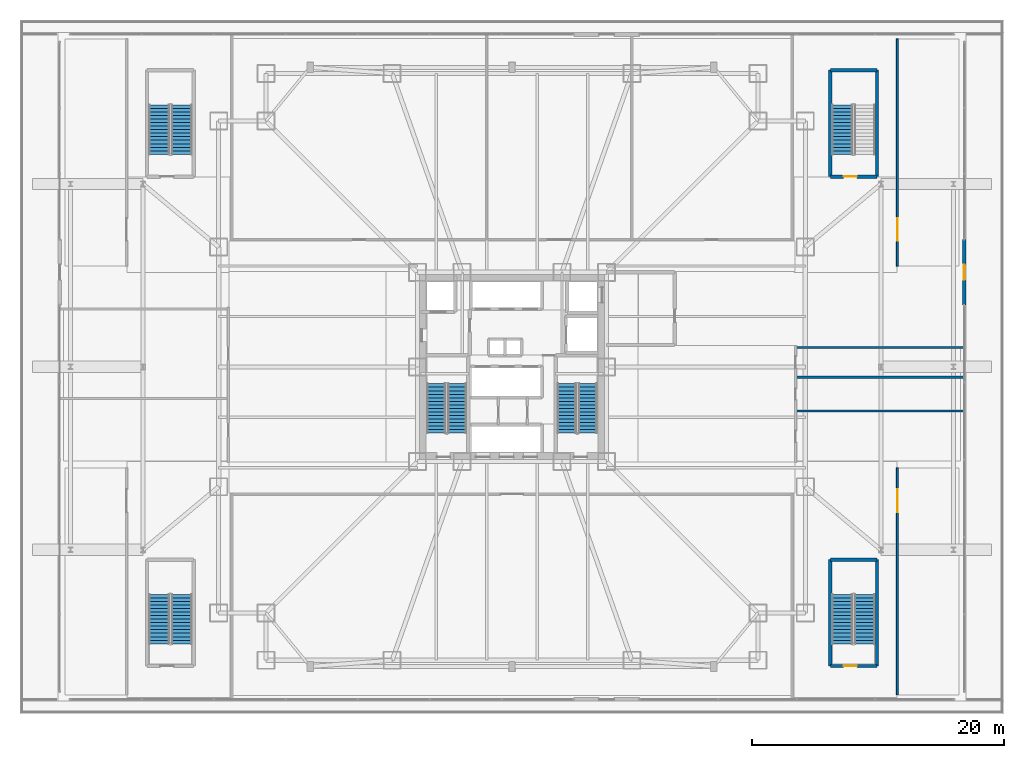
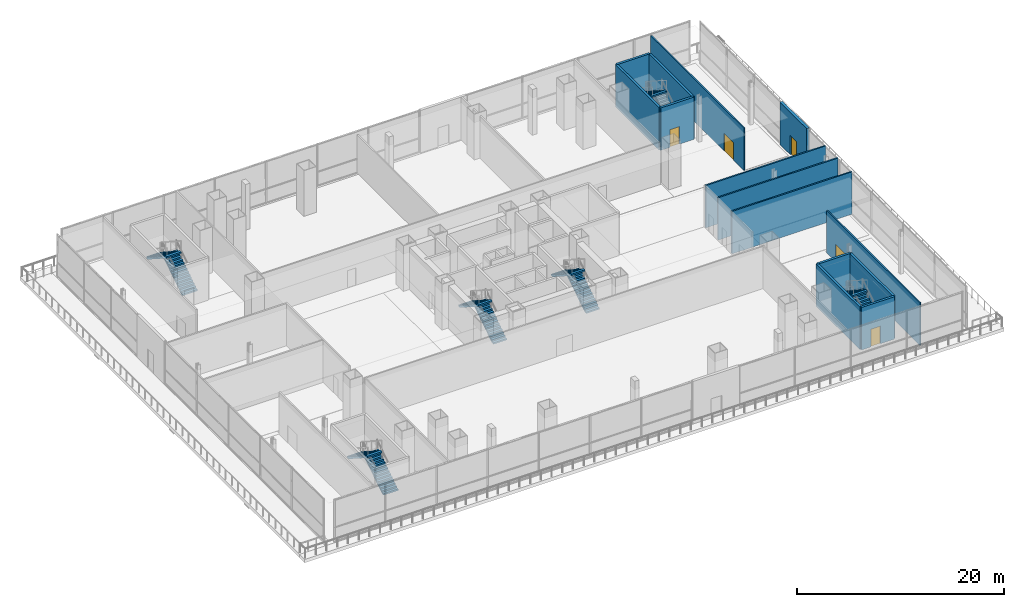
# One storey, part 24 of 35: 14 walls, 11 stair flights, 5 doors, 5 openings, 6 elements without a shape of their own.
"""IFC4 building model written with IfcOpenShell, lengths in metres."""

from ifc_helpers import new_model, si_unit, direction, frame, frame_2d, origin, place, context, subcontext, project, spatial, polyline, rectangle, outline, extrude, material, layer, layer_set, type_object, element, fill, aggregate, save


model = new_model("IFC4")

# Units and contexts
model_context = context("Model", 3, precision=1e-05, world=origin(), true_north=direction((0.0, 1.0)))
body_context = subcontext(model_context, "Body", "Model", "MODEL_VIEW")
ifc_project = project(units=[si_unit("LENGTHUNIT", "METRE"), si_unit("AREAUNIT", "SQUARE_METRE"), si_unit("VOLUMEUNIT", "CUBIC_METRE"), si_unit("PLANEANGLEUNIT", "RADIAN"), si_unit("MASSUNIT", "GRAM", prefix="KILO")], contexts=[model_context])

# Site, building, storey
site_placement = place(None, origin())
site = spatial("IfcSite", under=ifc_project, at=site_placement, CompositionType="ELEMENT")
building_placement = place(site_placement, origin())
building = spatial("IfcBuilding", under=site, at=building_placement, Name="Trevonay Congress Spire", CompositionType="ELEMENT")
storey_placement = place(building_placement, frame((0.0, 0.0, 10.800048828125)))
storey = spatial("IfcBuildingStorey", under=building, at=storey_placement, Name="L02", CompositionType="ELEMENT", Elevation=10.800048828125)

# Wall, opening, door
ifc_material_1 = material(Name="Concrete C40/50", Category="concrete")
ifc_layer_1 = layer(ifc_material_1, 0.14990234375, Name="Concrete C40/50")
ifc_layer_set_1 = layer_set([ifc_layer_1], Name="Concrete C40/50")
wall_type_1 = type_object("IfcWallType", Name="WAL-CORR-150", PredefinedType="PARTITIONING", material=ifc_layer_set_1)
wall_1_placement = place(storey_placement, frame((30.550048828125, -26.0, 0.0), z_axis=(0.0, 0.0, 1.0), x_axis=(0.0, 1.0, 0.0)))
wall_1 = element("IfcWall", 1, at=wall_1_placement, inside=storey, type_object=wall_type_1, Name="L02 interior wall WL02-XSE", PredefinedType="PARTITIONING", context=body_context, shape_type="SweptSolid", body=[
    extrude(rectangle(XDim=18.0, YDim=0.14990234375, at=frame_2d((9.0, 0.0))), origin(), (0.0, 0.0, 1.0), 5.0),
])
opening_1_placement = place(wall_1_placement, frame((14.5, 0.0, 0.0)))
opening_1 = element("IfcOpeningElement", 2, at=opening_1_placement, cuts=wall_1, Name="Opening D09", PredefinedType="OPENING", context=body_context, shape_type="SweptSolid", body=[
    extrude(rectangle(XDim=1.800048828125, YDim=2.080078125, at=frame_2d((0.89990234375, 1.0400390625))), frame((0.0, 0.0849609375, 0.0), z_axis=(0.0, -1.0, 0.0), x_axis=(1.0, 0.0, 0.0)), (0.0, 0.0, 1.0), 0.169921875),
])
ifc_material_2 = material(Name="Pale Anodised Aluminium EN AW-6063-T6", Category="aluminium")
door_type_1 = type_object("IfcDoorType", Name="DOR-CONF-DBL", OperationType="DOUBLE_DOOR_SINGLE_SWING", PredefinedType="DOOR", material=ifc_material_2)
door_1_placement = place(opening_1_placement, origin())
door_1 = element("IfcDoor", 3, at=door_1_placement, inside=storey, type_object=door_type_1, Name="L02 L02 South-East Delegation Salon Door", OperationType="DOUBLE_DOOR_SINGLE_SWING", OverallHeight=2.080078125, OverallWidth=1.800048828125, PredefinedType="DOOR", context=body_context, shape_type="SweptSolid", body=[
    extrude(rectangle(XDim=1.800048828125, YDim=2.080078125, at=frame_2d((0.89990234375, 1.0400390625))), frame((0.0, 0.02490234375, 0.0), z_axis=(0.0, -1.0, 0.0), x_axis=(1.0, 0.0, 0.0)), (0.0, 0.0, 1.0), 0.050048828125),
])
fill(opening_1, door_1)

wall_2_placement = place(storey_placement, frame((30.550048828125, 8.0, 0.0), z_axis=(0.0, 0.0, 1.0), x_axis=(0.0, 1.0, 0.0)))
wall_2 = element("IfcWall", 4, at=wall_2_placement, inside=storey, type_object=wall_type_1, Name="L02 interior wall WL02-XNE", PredefinedType="PARTITIONING", context=body_context, shape_type="SweptSolid", body=[
    extrude(rectangle(XDim=18.0, YDim=0.14990234375, at=frame_2d((9.0, 0.0))), origin(), (0.0, 0.0, 1.0), 5.0),
])
opening_2_placement = place(wall_2_placement, frame((2.0, 0.0, 0.0)))
opening_2 = element("IfcOpeningElement", 5, at=opening_2_placement, cuts=wall_2, Name="Opening D09", PredefinedType="OPENING", context=body_context, shape_type="SweptSolid", body=[
    extrude(rectangle(XDim=1.800048828125, YDim=2.080078125, at=frame_2d((0.89990234375, 1.0400390625))), frame((0.0, 0.0849609375, 0.0), z_axis=(0.0, -1.0, 0.0), x_axis=(1.0, 0.0, 0.0)), (0.0, 0.0, 1.0), 0.169921875),
])
door_2_placement = place(opening_2_placement, origin())
door_2 = element("IfcDoor", 6, at=door_2_placement, inside=storey, type_object=door_type_1, Name="L02 L02 North-East Hospitality Salon Door", OperationType="DOUBLE_DOOR_SINGLE_SWING", OverallHeight=2.080078125, OverallWidth=1.800048828125, PredefinedType="DOOR", context=body_context, shape_type="SweptSolid", body=[
    extrude(rectangle(XDim=1.800048828125, YDim=2.080078125, at=frame_2d((0.89990234375, 1.0400390625))), frame((0.0, 0.02490234375, 0.0), z_axis=(0.0, -1.0, 0.0), x_axis=(1.0, 0.0, 0.0)), (0.0, 0.0, 1.0), 0.050048828125),
])
fill(opening_2, door_2)

ifc_material_3 = material(Name="Precast concrete C40/50", Category="concrete")
ifc_layer_2 = layer(ifc_material_3, 0.300048828125, Name="Precast concrete C40/50")
ifc_layer_set_2 = layer_set([ifc_layer_2], Name="Precast concrete C40/50")
wall_type_2 = type_object("IfcWallType", Name="WAL-EXT-PRECAST-300", PredefinedType="SOLIDWALL", material=ifc_layer_set_2)
wall_3_placement = place(storey_placement, frame((35.85009765625, 4.89990234375, 0.0), z_axis=(0.0, 0.0, 1.0), x_axis=(0.0, 1.0, 0.0)))
wall_3 = element("IfcWall", 7, at=wall_3_placement, inside=storey, type_object=wall_type_2, Name="L02 E terrace doorway backup wall", PredefinedType="SOLIDWALL", context=body_context, shape_type="SweptSolid", body=[
    extrude(rectangle(XDim=5.2001953125, YDim=0.300048828125, at=frame_2d((2.60009765625, 0.0))), origin(), (0.0, 0.0, 1.0), 5.0),
])
opening_3_placement = place(wall_3_placement, frame((2.0, 0.0, 0.0)))
opening_3 = element("IfcOpeningElement", 8, at=opening_3_placement, cuts=wall_3, Name="Opening D12", PredefinedType="OPENING", context=body_context, shape_type="SweptSolid", body=[
    extrude(rectangle(XDim=1.199951171875, YDim=2.25, at=frame_2d((0.60009765625, 1.125))), frame((0.0, 0.16015625, 0.0), z_axis=(0.0, -1.0, 0.0), x_axis=(1.0, 0.0, 0.0)), (0.0, 0.0, 1.0), 0.320068359375),
])
door_type_2 = type_object("IfcDoorType", Name="DOR-EXT-TERR-120", OperationType="NOTDEFINED", PredefinedType="DOOR", material=ifc_material_2)
door_3_placement = place(opening_3_placement, origin())
door_3 = element("IfcDoor", 9, at=door_3_placement, inside=storey, type_object=door_type_2, Name="L02 E stepped terrace access door", OperationType="SINGLE_SWING_RIGHT", OverallHeight=2.25, OverallWidth=1.199951171875, PredefinedType="DOOR", context=body_context, shape_type="SweptSolid", body=[
    extrude(rectangle(XDim=1.199951171875, YDim=2.25, at=frame_2d((0.60009765625, 1.125))), frame((0.0, 0.02490234375, 0.0), z_axis=(0.0, -1.0, 0.0), x_axis=(1.0, 0.0, 0.0)), (0.0, 0.0, 1.0), 0.050048828125),
])
fill(opening_3, door_3)

ifc_layer_3 = layer(ifc_material_1, 0.25, Name="Concrete C40/50")
ifc_layer_set_3 = layer_set([ifc_layer_3], Name="Concrete C40/50")
wall_type_3 = type_object("IfcWallType", Name="WAL-SHAFT-LB-250", PredefinedType="SHEAR", material=ifc_layer_set_3)
wall_4_placement = place(storey_placement, frame((25.22998046875, -23.719970703125, 0.0), z_axis=(0.0, 0.0, 1.0), x_axis=(1.0, 0.0, 0.0)))
wall_4 = element("IfcWall", 10, at=wall_4_placement, inside=storey, type_object=wall_type_3, Name="L02 interior shaft wall WSH-L02-ST-4-S", PredefinedType="SHEAR", context=body_context, shape_type="SweptSolid", body=[
    extrude(rectangle(XDim=3.68994140625, YDim=0.25, at=frame_2d((1.844970703125, 0.0))), origin(), (0.0, 0.0, 1.0), 5.0),
])
opening_4_placement = place(wall_4_placement, frame((1.050048828125, 0.0, 0.0)))
opening_4 = element("IfcOpeningElement", 11, at=opening_4_placement, cuts=wall_4, Name="Opening D05", PredefinedType="OPENING", context=body_context, shape_type="SweptSolid", body=[
    extrude(rectangle(XDim=1.050048828125, YDim=2.080078125, at=frame_2d((0.52490234375, 1.0400390625))), frame((0.0, 0.135009765625, 0.0), z_axis=(0.0, -1.0, 0.0), x_axis=(1.0, 0.0, 0.0)), (0.0, 0.0, 1.0), 0.27001953125),
])
ifc_material_4 = material(Name="Steel ASTM A572 Grade 50", Category="steel")
door_type_3 = type_object("IfcDoorType", Name="DOR-STAIR-110", OperationType="NOTDEFINED", PredefinedType="DOOR", material=ifc_material_4)
door_4_placement = place(opening_4_placement, origin())
door_4 = element("IfcDoor", 12, at=door_4_placement, inside=storey, type_object=door_type_3, Name="L02 Escape Stair ST-4 Door", OperationType="SINGLE_SWING_LEFT", OverallHeight=2.080078125, OverallWidth=1.050048828125, PredefinedType="DOOR", context=body_context, shape_type="SweptSolid", body=[
    extrude(rectangle(XDim=1.050048828125, YDim=2.080078125, at=frame_2d((0.52490234375, 1.0400390625))), frame((0.0, 0.02490234375, 0.0), z_axis=(0.0, -1.0, 0.0), x_axis=(1.0, 0.0, 0.0)), (0.0, 0.0, 1.0), 0.050048828125),
])
fill(opening_4, door_4)

# Walls
wall_5_placement = place(storey_placement, frame((25.22998046875, -15.280029296875, 0.0), z_axis=(0.0, 0.0, 1.0), x_axis=(1.0, 0.0, 0.0)))
element("IfcWall", 13, at=wall_5_placement, inside=storey, type_object=wall_type_3, Name="L02 interior shaft wall WSH-L02-ST-4-N", PredefinedType="SHEAR", context=body_context, shape_type="SweptSolid", body=[
    extrude(rectangle(XDim=3.68994140625, YDim=0.25, at=frame_2d((1.844970703125, 0.0))), origin(), (0.0, 0.0, 1.0), 5.0),
])
for number, where, z_axis, x_axis, name in (
    (14, (25.22998046875, -23.719970703125, 0.0), (0.0, 0.0, 1.0), (0.0, 1.0, 0.0), "L02 interior shaft wall WSH-L02-ST-4-W"),
    (15, (28.919921875, -23.719970703125, 0.0), (0.0, 0.0, 1.0), (0.0, 1.0, 0.0), "L02 interior shaft wall WSH-L02-ST-4-E"),
):
    element("IfcWall", number, at=place(storey_placement, frame(where, z_axis=z_axis, x_axis=x_axis)), inside=storey, type_object=wall_type_3, Name=name, PredefinedType="SHEAR", context=body_context, shape_type="SweptSolid", body=[
        extrude(rectangle(XDim=8.43994140625, YDim=0.25, at=frame_2d((4.219970703125, 0.0))), origin(), (0.0, 0.0, 1.0), 5.0),
    ])

# Wall, opening, door
wall_6_placement = place(storey_placement, frame((25.22998046875, 15.080078125, 0.0), z_axis=(0.0, 0.0, 1.0), x_axis=(1.0, 0.0, 0.0)))
wall_6 = element("IfcWall", 16, at=wall_6_placement, inside=storey, type_object=wall_type_3, Name="L02 interior shaft wall WSH-L02-ST-6-S", PredefinedType="SHEAR", context=body_context, shape_type="SweptSolid", body=[
    extrude(rectangle(XDim=3.68994140625, YDim=0.25, at=frame_2d((1.844970703125, 0.0))), origin(), (0.0, 0.0, 1.0), 5.0),
])
opening_5_placement = place(wall_6_placement, frame((1.050048828125, 0.0, 0.0)))
opening_5 = element("IfcOpeningElement", 17, at=opening_5_placement, cuts=wall_6, Name="Opening D05", PredefinedType="OPENING", context=body_context, shape_type="SweptSolid", body=[
    extrude(rectangle(XDim=1.050048828125, YDim=2.080078125, at=frame_2d((0.52490234375, 1.0400390625))), frame((0.0, 0.135009765625, 0.0), z_axis=(0.0, -1.0, 0.0), x_axis=(1.0, 0.0, 0.0)), (0.0, 0.0, 1.0), 0.27001953125),
])
door_5_placement = place(opening_5_placement, origin())
door_5 = element("IfcDoor", 18, at=door_5_placement, inside=storey, type_object=door_type_3, Name="L02 Escape Stair ST-6 Door", OperationType="SINGLE_SWING_LEFT", OverallHeight=2.080078125, OverallWidth=1.050048828125, PredefinedType="DOOR", context=body_context, shape_type="SweptSolid", body=[
    extrude(rectangle(XDim=1.050048828125, YDim=2.080078125, at=frame_2d((0.52490234375, 1.0400390625))), frame((0.0, 0.02490234375, 0.0), z_axis=(0.0, -1.0, 0.0), x_axis=(1.0, 0.0, 0.0)), (0.0, 0.0, 1.0), 0.050048828125),
])
fill(opening_5, door_5)

# Walls
wall_7_placement = place(storey_placement, frame((25.22998046875, 23.52001953125, 0.0), z_axis=(0.0, 0.0, 1.0), x_axis=(1.0, 0.0, 0.0)))
element("IfcWall", 19, at=wall_7_placement, inside=storey, type_object=wall_type_3, Name="L02 interior shaft wall WSH-L02-ST-6-N", PredefinedType="SHEAR", context=body_context, shape_type="SweptSolid", body=[
    extrude(rectangle(XDim=3.68994140625, YDim=0.25, at=frame_2d((1.844970703125, 0.0))), origin(), (0.0, 0.0, 1.0), 5.0),
])
for number, where, z_axis, x_axis, name in (
    (20, (25.22998046875, 15.080078125, 0.0), (0.0, 0.0, 1.0), (0.0, 1.0, 0.0), "L02 interior shaft wall WSH-L02-ST-6-W"),
    (21, (28.919921875, 15.080078125, 0.0), (0.0, 0.0, 1.0), (0.0, 1.0, 0.0), "L02 interior shaft wall WSH-L02-ST-6-E"),
):
    element("IfcWall", number, at=place(storey_placement, frame(where, z_axis=z_axis, x_axis=x_axis)), inside=storey, type_object=wall_type_3, Name=name, PredefinedType="SHEAR", context=body_context, shape_type="SweptSolid", body=[
        extrude(rectangle(XDim=8.43994140625, YDim=0.25, at=frame_2d((4.219970703125, 0.0))), origin(), (0.0, 0.0, 1.0), 5.0),
    ])
ifc_layer_4 = layer(ifc_material_1, 0.1650390625, Name="Concrete C40/50")
ifc_layer_set_4 = layer_set([ifc_layer_4], Name="Concrete C40/50")
wall_type_4 = type_object("IfcWallType", Name="WAL-WET-165", PredefinedType="PLUMBINGWALL", material=ifc_layer_set_4)
for number, where, z_axis, x_axis, name in (
    (22, (22.47998046875, -0.820068359375, 0.0), (0.0, 0.0, 1.0), (1.0, 0.0, 0.0), "L02 interior wall WP-L02E-WCS2"),
    (23, (22.47998046875, -3.5, 0.0), (0.0, 0.0, 1.0), (1.0, 0.0, 0.0), "L02 interior wall WP-L02E-DIV1"),
    (24, (22.47998046875, 1.550048828125, 0.0), (0.0, 0.0, 1.0), (1.0, 0.0, 0.0), "L02 interior wall WP-L02E-DIV2"),
):
    element("IfcWall", number, at=place(storey_placement, frame(where, z_axis=z_axis, x_axis=x_axis)), inside=storey, type_object=wall_type_4, Name=name, PredefinedType="PLUMBINGWALL", context=body_context, shape_type="SweptSolid", body=[
        extrude(rectangle(XDim=13.3701171875, YDim=0.1650390625, at=frame_2d((6.68505859375, 0.0))), origin(), (0.0, 0.0, 1.0), 5.0),
    ])

# Stair, stair flights
stair_type_1 = type_object("IfcStairType", Name="STR-ST-1", PredefinedType="HALF_TURN_STAIR", material=ifc_material_1)
stair_1_placement = place(storey_placement, origin())
stair_1 = element("IfcStair", 25, at=stair_1_placement, inside=storey, type_object=stair_type_1, Name="L02 Protected Exit Stair ST-1", PredefinedType="HALF_TURN_STAIR")
stair_flight_type_1 = type_object("IfcStairFlightType", Name="SFL-ST-1", PredefinedType="STRAIGHT", material=ifc_material_1)
stair_flight_1_placement = place(storey_placement, frame((-4.35009765625, -5.25, 0.0), z_axis=(0.0, 0.0, 1.0), x_axis=(0.0, 1.0, 0.0)))
stair_flight_1 = element("IfcStairFlight", 26, at=stair_flight_1_placement, type_object=stair_flight_type_1, Name="ST-1 flight 1", NumberOfRisers=15, NumberOfTreads=14, PredefinedType="STRAIGHT", RiserHeight=0.18, TreadLength=0.28, context=body_context, shape_type="SweptSolid", body=[
    extrude(outline(polyline([(0.0, 0.0), (0.0, 0.179931640625), (0.280029296875, 0.179931640625), (0.280029296875, 0.360107421875), (0.56005859375, 0.360107421875), (0.56005859375, 0.5400390625), (0.840087890625, 0.5400390625), (0.840087890625, 0.719970703125), (1.1201171875, 0.719970703125), (1.1201171875, 0.89990234375), (1.39990234375, 0.89990234375), (1.39990234375, 1.080078125), (1.679931640625, 1.080078125), (1.679931640625, 1.260009765625), (1.9599609375, 1.260009765625), (1.9599609375, 1.43994140625), (2.239990234375, 1.43994140625), (2.239990234375, 1.6201171875), (2.52001953125, 1.6201171875), (2.52001953125, 1.800048828125), (2.800048828125, 1.800048828125), (2.800048828125, 1.97998046875), (3.080078125, 1.97998046875), (3.080078125, 2.159912109375), (3.360107421875, 2.159912109375), (3.360107421875, 2.340087890625), (3.639892578125, 2.340087890625), (3.639892578125, 2.52001953125), (3.919921875, 2.52001953125), (3.919921875, 2.699951171875), (3.919921875, 2.341796875), (0.277099609375, 0.0), (0.0, 0.0)])), frame((0.0, 0.75, 0.0), z_axis=(0.0, -1.0, 0.0), x_axis=(1.0, 0.0, 0.0)), (0.0, 0.0, 1.0), 1.5),
])
stair_flight_2_placement = place(storey_placement, frame((-6.0, -1.330078125, 2.699951171875), z_axis=(0.0, 0.0, 1.0), x_axis=(0.0, -1.0, 0.0)))
stair_flight_2 = element("IfcStairFlight", 27, at=stair_flight_2_placement, type_object=stair_flight_type_1, Name="ST-1 flight 2", NumberOfRisers=15, NumberOfTreads=14, PredefinedType="STRAIGHT", RiserHeight=0.18, TreadLength=0.28, context=body_context, shape_type="SweptSolid", body=[
    extrude(outline(polyline([(0.0, 0.0), (0.0, 0.179931640625), (0.280029296875, 0.179931640625), (0.280029296875, 0.360107421875), (0.56005859375, 0.360107421875), (0.56005859375, 0.5400390625), (0.840087890625, 0.5400390625), (0.840087890625, 0.719970703125), (1.1201171875, 0.719970703125), (1.1201171875, 0.89990234375), (1.39990234375, 0.89990234375), (1.39990234375, 1.080078125), (1.679931640625, 1.080078125), (1.679931640625, 1.260009765625), (1.9599609375, 1.260009765625), (1.9599609375, 1.43994140625), (2.239990234375, 1.43994140625), (2.239990234375, 1.6201171875), (2.52001953125, 1.6201171875), (2.52001953125, 1.800048828125), (2.800048828125, 1.800048828125), (2.800048828125, 1.97998046875), (3.080078125, 1.97998046875), (3.080078125, 2.159912109375), (3.360107421875, 2.159912109375), (3.360107421875, 2.340087890625), (3.639892578125, 2.340087890625), (3.639892578125, 2.52001953125), (3.919921875, 2.52001953125), (3.919921875, 2.699951171875), (3.919921875, 2.341796875), (0.277099609375, 0.0), (0.0, 0.0)])), frame((0.0, 0.75, 0.0), z_axis=(0.0, -1.0, 0.0), x_axis=(1.0, 0.0, 0.0)), (0.0, 0.0, 1.0), 1.5),
])
aggregate(stair_1, [stair_flight_1, stair_flight_2])

stair_type_2 = type_object("IfcStairType", Name="STR-ST-2", PredefinedType="HALF_TURN_STAIR", material=ifc_material_1)
stair_2_placement = place(storey_placement, origin())
stair_2 = element("IfcStair", 28, at=stair_2_placement, inside=storey, type_object=stair_type_2, Name="L02 Protected Exit Stair ST-2", PredefinedType="HALF_TURN_STAIR")
stair_flight_type_2 = type_object("IfcStairFlightType", Name="SFL-ST-2", PredefinedType="STRAIGHT", material=ifc_material_1)
stair_flight_3_placement = place(storey_placement, frame((6.0, -5.25, 0.0), z_axis=(0.0, 0.0, 1.0), x_axis=(0.0, 1.0, 0.0)))
stair_flight_3 = element("IfcStairFlight", 29, at=stair_flight_3_placement, type_object=stair_flight_type_2, Name="ST-2 flight 1", NumberOfRisers=15, NumberOfTreads=14, PredefinedType="STRAIGHT", RiserHeight=0.18, TreadLength=0.28, context=body_context, shape_type="SweptSolid", body=[
    extrude(outline(polyline([(0.0, 0.0), (0.0, 0.179931640625), (0.280029296875, 0.179931640625), (0.280029296875, 0.360107421875), (0.56005859375, 0.360107421875), (0.56005859375, 0.5400390625), (0.840087890625, 0.5400390625), (0.840087890625, 0.719970703125), (1.1201171875, 0.719970703125), (1.1201171875, 0.89990234375), (1.39990234375, 0.89990234375), (1.39990234375, 1.080078125), (1.679931640625, 1.080078125), (1.679931640625, 1.260009765625), (1.9599609375, 1.260009765625), (1.9599609375, 1.43994140625), (2.239990234375, 1.43994140625), (2.239990234375, 1.6201171875), (2.52001953125, 1.6201171875), (2.52001953125, 1.800048828125), (2.800048828125, 1.800048828125), (2.800048828125, 1.97998046875), (3.080078125, 1.97998046875), (3.080078125, 2.159912109375), (3.360107421875, 2.159912109375), (3.360107421875, 2.340087890625), (3.639892578125, 2.340087890625), (3.639892578125, 2.52001953125), (3.919921875, 2.52001953125), (3.919921875, 2.699951171875), (3.919921875, 2.341796875), (0.277099609375, 0.0), (0.0, 0.0)])), frame((0.0, 0.75, 0.0), z_axis=(0.0, -1.0, 0.0), x_axis=(1.0, 0.0, 0.0)), (0.0, 0.0, 1.0), 1.5),
])
stair_flight_4_placement = place(storey_placement, frame((4.35009765625, -1.330078125, 2.699951171875), z_axis=(0.0, 0.0, 1.0), x_axis=(0.0, -1.0, 0.0)))
stair_flight_4 = element("IfcStairFlight", 30, at=stair_flight_4_placement, type_object=stair_flight_type_2, Name="ST-2 flight 2", NumberOfRisers=15, NumberOfTreads=14, PredefinedType="STRAIGHT", RiserHeight=0.18, TreadLength=0.28, context=body_context, shape_type="SweptSolid", body=[
    extrude(outline(polyline([(0.0, 0.0), (0.0, 0.179931640625), (0.280029296875, 0.179931640625), (0.280029296875, 0.360107421875), (0.56005859375, 0.360107421875), (0.56005859375, 0.5400390625), (0.840087890625, 0.5400390625), (0.840087890625, 0.719970703125), (1.1201171875, 0.719970703125), (1.1201171875, 0.89990234375), (1.39990234375, 0.89990234375), (1.39990234375, 1.080078125), (1.679931640625, 1.080078125), (1.679931640625, 1.260009765625), (1.9599609375, 1.260009765625), (1.9599609375, 1.43994140625), (2.239990234375, 1.43994140625), (2.239990234375, 1.6201171875), (2.52001953125, 1.6201171875), (2.52001953125, 1.800048828125), (2.800048828125, 1.800048828125), (2.800048828125, 1.97998046875), (3.080078125, 1.97998046875), (3.080078125, 2.159912109375), (3.360107421875, 2.159912109375), (3.360107421875, 2.340087890625), (3.639892578125, 2.340087890625), (3.639892578125, 2.52001953125), (3.919921875, 2.52001953125), (3.919921875, 2.699951171875), (3.919921875, 2.341796875), (0.277099609375, 0.0), (0.0, 0.0)])), frame((0.0, 0.75, 0.0), z_axis=(0.0, -1.0, 0.0), x_axis=(1.0, 0.0, 0.0)), (0.0, 0.0, 1.0), 1.5),
])
aggregate(stair_2, [stair_flight_3, stair_flight_4])

stair_type_3 = type_object("IfcStairType", Name="STR-ST-3", PredefinedType="HALF_TURN_STAIR", material=ifc_material_1)
stair_3_placement = place(storey_placement, origin())
stair_3 = element("IfcStair", 31, at=stair_3_placement, inside=storey, type_object=stair_type_3, Name="L02 Protected Exit Stair ST-3", PredefinedType="HALF_TURN_STAIR")
stair_flight_type_3 = type_object("IfcStairFlightType", Name="SFL-ST-3", PredefinedType="STRAIGHT", material=ifc_material_1)
stair_flight_5_placement = place(storey_placement, frame((-26.175048828125, -21.949951171875, 0.0), z_axis=(0.0, 0.0, 1.0), x_axis=(0.0, 1.0, 0.0)))
stair_flight_5 = element("IfcStairFlight", 32, at=stair_flight_5_placement, type_object=stair_flight_type_3, Name="ST-3 flight 1", NumberOfRisers=15, NumberOfTreads=14, PredefinedType="STRAIGHT", RiserHeight=0.18, TreadLength=0.28, context=body_context, shape_type="SweptSolid", body=[
    extrude(outline(polyline([(0.0, 0.0), (0.0, 0.179931640625), (0.280029296875, 0.179931640625), (0.280029296875, 0.360107421875), (0.56005859375, 0.360107421875), (0.56005859375, 0.5400390625), (0.840087890625, 0.5400390625), (0.840087890625, 0.719970703125), (1.1201171875, 0.719970703125), (1.1201171875, 0.89990234375), (1.39990234375, 0.89990234375), (1.39990234375, 1.080078125), (1.679931640625, 1.080078125), (1.679931640625, 1.260009765625), (1.9599609375, 1.260009765625), (1.9599609375, 1.43994140625), (2.239990234375, 1.43994140625), (2.239990234375, 1.6201171875), (2.52001953125, 1.6201171875), (2.52001953125, 1.800048828125), (2.800048828125, 1.800048828125), (2.800048828125, 1.97998046875), (3.080078125, 1.97998046875), (3.080078125, 2.159912109375), (3.360107421875, 2.159912109375), (3.360107421875, 2.340087890625), (3.639892578125, 2.340087890625), (3.639892578125, 2.52001953125), (3.919921875, 2.52001953125), (3.919921875, 2.699951171875), (3.919921875, 2.341796875), (0.277099609375, 0.0), (0.0, 0.0)])), frame((0.0, 0.824951171875, 0.0), z_axis=(0.0, -1.0, 0.0), x_axis=(1.0, 0.0, 0.0)), (0.0, 0.0, 1.0), 1.64990234375),
])
stair_flight_6_placement = place(storey_placement, frame((-27.97509765625, -18.030029296875, 2.699951171875), z_axis=(0.0, 0.0, 1.0), x_axis=(0.0, -1.0, 0.0)))
stair_flight_6 = element("IfcStairFlight", 33, at=stair_flight_6_placement, type_object=stair_flight_type_3, Name="ST-3 flight 2", NumberOfRisers=15, NumberOfTreads=14, PredefinedType="STRAIGHT", RiserHeight=0.18, TreadLength=0.28, context=body_context, shape_type="SweptSolid", body=[
    extrude(outline(polyline([(0.0, 0.0), (0.0, 0.179931640625), (0.280029296875, 0.179931640625), (0.280029296875, 0.360107421875), (0.56005859375, 0.360107421875), (0.56005859375, 0.5400390625), (0.840087890625, 0.5400390625), (0.840087890625, 0.719970703125), (1.1201171875, 0.719970703125), (1.1201171875, 0.89990234375), (1.39990234375, 0.89990234375), (1.39990234375, 1.080078125), (1.679931640625, 1.080078125), (1.679931640625, 1.260009765625), (1.9599609375, 1.260009765625), (1.9599609375, 1.43994140625), (2.239990234375, 1.43994140625), (2.239990234375, 1.6201171875), (2.52001953125, 1.6201171875), (2.52001953125, 1.800048828125), (2.800048828125, 1.800048828125), (2.800048828125, 1.97998046875), (3.080078125, 1.97998046875), (3.080078125, 2.159912109375), (3.360107421875, 2.159912109375), (3.360107421875, 2.340087890625), (3.639892578125, 2.340087890625), (3.639892578125, 2.52001953125), (3.919921875, 2.52001953125), (3.919921875, 2.699951171875), (3.919921875, 2.341796875), (0.277099609375, 0.0), (0.0, 0.0)])), frame((0.0, 0.824951171875, 0.0), z_axis=(0.0, -1.0, 0.0), x_axis=(1.0, 0.0, 0.0)), (0.0, 0.0, 1.0), 1.64990234375),
])
aggregate(stair_3, [stair_flight_5, stair_flight_6])

stair_type_4 = type_object("IfcStairType", Name="STR-ST-4", PredefinedType="HALF_TURN_STAIR", material=ifc_material_1)
stair_4_placement = place(storey_placement, origin())
stair_4 = element("IfcStair", 34, at=stair_4_placement, inside=storey, type_object=stair_type_4, Name="L02 Protected Exit Stair ST-4", PredefinedType="HALF_TURN_STAIR")
stair_flight_type_4 = type_object("IfcStairFlightType", Name="SFL-ST-4", PredefinedType="STRAIGHT", material=ifc_material_1)
stair_flight_7_placement = place(storey_placement, frame((27.97509765625, -21.949951171875, 0.0), z_axis=(0.0, 0.0, 1.0), x_axis=(0.0, 1.0, 0.0)))
stair_flight_7 = element("IfcStairFlight", 35, at=stair_flight_7_placement, type_object=stair_flight_type_4, Name="ST-4 flight 1", NumberOfRisers=15, NumberOfTreads=14, PredefinedType="STRAIGHT", RiserHeight=0.18, TreadLength=0.28, context=body_context, shape_type="SweptSolid", body=[
    extrude(outline(polyline([(0.0, 0.0), (0.0, 0.179931640625), (0.280029296875, 0.179931640625), (0.280029296875, 0.360107421875), (0.56005859375, 0.360107421875), (0.56005859375, 0.5400390625), (0.840087890625, 0.5400390625), (0.840087890625, 0.719970703125), (1.1201171875, 0.719970703125), (1.1201171875, 0.89990234375), (1.39990234375, 0.89990234375), (1.39990234375, 1.080078125), (1.679931640625, 1.080078125), (1.679931640625, 1.260009765625), (1.9599609375, 1.260009765625), (1.9599609375, 1.43994140625), (2.239990234375, 1.43994140625), (2.239990234375, 1.6201171875), (2.52001953125, 1.6201171875), (2.52001953125, 1.800048828125), (2.800048828125, 1.800048828125), (2.800048828125, 1.97998046875), (3.080078125, 1.97998046875), (3.080078125, 2.159912109375), (3.360107421875, 2.159912109375), (3.360107421875, 2.340087890625), (3.639892578125, 2.340087890625), (3.639892578125, 2.52001953125), (3.919921875, 2.52001953125), (3.919921875, 2.699951171875), (3.919921875, 2.341796875), (0.277099609375, 0.0), (0.0, 0.0)])), frame((0.0, 0.824951171875, 0.0), z_axis=(0.0, -1.0, 0.0), x_axis=(1.0, 0.0, 0.0)), (0.0, 0.0, 1.0), 1.64990234375),
])
stair_flight_8_placement = place(storey_placement, frame((26.175048828125, -18.030029296875, 2.699951171875), z_axis=(0.0, 0.0, 1.0), x_axis=(0.0, -1.0, 0.0)))
stair_flight_8 = element("IfcStairFlight", 36, at=stair_flight_8_placement, type_object=stair_flight_type_4, Name="ST-4 flight 2", NumberOfRisers=15, NumberOfTreads=14, PredefinedType="STRAIGHT", RiserHeight=0.18, TreadLength=0.28, context=body_context, shape_type="SweptSolid", body=[
    extrude(outline(polyline([(0.0, 0.0), (0.0, 0.179931640625), (0.280029296875, 0.179931640625), (0.280029296875, 0.360107421875), (0.56005859375, 0.360107421875), (0.56005859375, 0.5400390625), (0.840087890625, 0.5400390625), (0.840087890625, 0.719970703125), (1.1201171875, 0.719970703125), (1.1201171875, 0.89990234375), (1.39990234375, 0.89990234375), (1.39990234375, 1.080078125), (1.679931640625, 1.080078125), (1.679931640625, 1.260009765625), (1.9599609375, 1.260009765625), (1.9599609375, 1.43994140625), (2.239990234375, 1.43994140625), (2.239990234375, 1.6201171875), (2.52001953125, 1.6201171875), (2.52001953125, 1.800048828125), (2.800048828125, 1.800048828125), (2.800048828125, 1.97998046875), (3.080078125, 1.97998046875), (3.080078125, 2.159912109375), (3.360107421875, 2.159912109375), (3.360107421875, 2.340087890625), (3.639892578125, 2.340087890625), (3.639892578125, 2.52001953125), (3.919921875, 2.52001953125), (3.919921875, 2.699951171875), (3.919921875, 2.341796875), (0.277099609375, 0.0), (0.0, 0.0)])), frame((0.0, 0.824951171875, 0.0), z_axis=(0.0, -1.0, 0.0), x_axis=(1.0, 0.0, 0.0)), (0.0, 0.0, 1.0), 1.64990234375),
])
aggregate(stair_4, [stair_flight_7, stair_flight_8])

stair_type_5 = type_object("IfcStairType", Name="STR-ST-5", PredefinedType="HALF_TURN_STAIR", material=ifc_material_1)
stair_5_placement = place(storey_placement, origin())
stair_5 = element("IfcStair", 37, at=stair_5_placement, inside=storey, type_object=stair_type_5, Name="L02 Protected Exit Stair ST-5", PredefinedType="HALF_TURN_STAIR")
stair_flight_type_5 = type_object("IfcStairFlightType", Name="SFL-ST-5", PredefinedType="STRAIGHT", material=ifc_material_1)
stair_flight_9_placement = place(storey_placement, frame((-26.175048828125, 16.85009765625, 0.0), z_axis=(0.0, 0.0, 1.0), x_axis=(0.0, 1.0, 0.0)))
stair_flight_9 = element("IfcStairFlight", 38, at=stair_flight_9_placement, type_object=stair_flight_type_5, Name="ST-5 flight 1", NumberOfRisers=15, NumberOfTreads=14, PredefinedType="STRAIGHT", RiserHeight=0.18, TreadLength=0.28, context=body_context, shape_type="SweptSolid", body=[
    extrude(outline(polyline([(0.0, 0.0), (0.0, 0.179931640625), (0.280029296875, 0.179931640625), (0.280029296875, 0.360107421875), (0.56005859375, 0.360107421875), (0.56005859375, 0.5400390625), (0.840087890625, 0.5400390625), (0.840087890625, 0.719970703125), (1.1201171875, 0.719970703125), (1.1201171875, 0.89990234375), (1.39990234375, 0.89990234375), (1.39990234375, 1.080078125), (1.679931640625, 1.080078125), (1.679931640625, 1.260009765625), (1.9599609375, 1.260009765625), (1.9599609375, 1.43994140625), (2.239990234375, 1.43994140625), (2.239990234375, 1.6201171875), (2.52001953125, 1.6201171875), (2.52001953125, 1.800048828125), (2.800048828125, 1.800048828125), (2.800048828125, 1.97998046875), (3.080078125, 1.97998046875), (3.080078125, 2.159912109375), (3.360107421875, 2.159912109375), (3.360107421875, 2.340087890625), (3.639892578125, 2.340087890625), (3.639892578125, 2.52001953125), (3.919921875, 2.52001953125), (3.919921875, 2.699951171875), (3.919921875, 2.341796875), (0.277099609375, 0.0), (0.0, 0.0)])), frame((0.0, 0.824951171875, 0.0), z_axis=(0.0, -1.0, 0.0), x_axis=(1.0, 0.0, 0.0)), (0.0, 0.0, 1.0), 1.64990234375),
])
stair_flight_10_placement = place(storey_placement, frame((-27.97509765625, 20.77001953125, 2.699951171875), z_axis=(0.0, 0.0, 1.0), x_axis=(0.0, -1.0, 0.0)))
stair_flight_10 = element("IfcStairFlight", 39, at=stair_flight_10_placement, type_object=stair_flight_type_5, Name="ST-5 flight 2", NumberOfRisers=15, NumberOfTreads=14, PredefinedType="STRAIGHT", RiserHeight=0.18, TreadLength=0.28, context=body_context, shape_type="SweptSolid", body=[
    extrude(outline(polyline([(0.0, 0.0), (0.0, 0.179931640625), (0.280029296875, 0.179931640625), (0.280029296875, 0.360107421875), (0.56005859375, 0.360107421875), (0.56005859375, 0.5400390625), (0.840087890625, 0.5400390625), (0.840087890625, 0.719970703125), (1.1201171875, 0.719970703125), (1.1201171875, 0.89990234375), (1.39990234375, 0.89990234375), (1.39990234375, 1.080078125), (1.679931640625, 1.080078125), (1.679931640625, 1.260009765625), (1.9599609375, 1.260009765625), (1.9599609375, 1.43994140625), (2.239990234375, 1.43994140625), (2.239990234375, 1.6201171875), (2.52001953125, 1.6201171875), (2.52001953125, 1.800048828125), (2.800048828125, 1.800048828125), (2.800048828125, 1.97998046875), (3.080078125, 1.97998046875), (3.080078125, 2.159912109375), (3.360107421875, 2.159912109375), (3.360107421875, 2.340087890625), (3.639892578125, 2.340087890625), (3.639892578125, 2.52001953125), (3.919921875, 2.52001953125), (3.919921875, 2.699951171875), (3.919921875, 2.341796875), (0.277099609375, 0.0), (0.0, 0.0)])), frame((0.0, 0.824951171875, 0.0), z_axis=(0.0, -1.0, 0.0), x_axis=(1.0, 0.0, 0.0)), (0.0, 0.0, 1.0), 1.64990234375),
])
aggregate(stair_5, [stair_flight_9, stair_flight_10])

# Stair, stair flight
stair_type_6 = type_object("IfcStairType", Name="STR-ST-6", PredefinedType="HALF_TURN_STAIR", material=ifc_material_1)
stair_6_placement = place(storey_placement, origin())
stair_6 = element("IfcStair", 40, at=stair_6_placement, inside=storey, type_object=stair_type_6, Name="L02 Protected Exit Stair ST-6", PredefinedType="HALF_TURN_STAIR")
stair_flight_type_6 = type_object("IfcStairFlightType", Name="SFL-ST-6", PredefinedType="STRAIGHT", material=ifc_material_1)
stair_flight_11_placement = place(storey_placement, frame((26.175048828125, 20.77001953125, 2.699951171875), z_axis=(0.0, 0.0, 1.0), x_axis=(0.0, -1.0, 0.0)))
stair_flight_11 = element("IfcStairFlight", 41, at=stair_flight_11_placement, type_object=stair_flight_type_6, Name="ST-6 flight 2", NumberOfRisers=15, NumberOfTreads=14, PredefinedType="STRAIGHT", RiserHeight=0.18, TreadLength=0.28, context=body_context, shape_type="SweptSolid", body=[
    extrude(outline(polyline([(0.0, 0.0), (0.0, 0.179931640625), (0.280029296875, 0.179931640625), (0.280029296875, 0.360107421875), (0.56005859375, 0.360107421875), (0.56005859375, 0.5400390625), (0.840087890625, 0.5400390625), (0.840087890625, 0.719970703125), (1.1201171875, 0.719970703125), (1.1201171875, 0.89990234375), (1.39990234375, 0.89990234375), (1.39990234375, 1.080078125), (1.679931640625, 1.080078125), (1.679931640625, 1.260009765625), (1.9599609375, 1.260009765625), (1.9599609375, 1.43994140625), (2.239990234375, 1.43994140625), (2.239990234375, 1.6201171875), (2.52001953125, 1.6201171875), (2.52001953125, 1.800048828125), (2.800048828125, 1.800048828125), (2.800048828125, 1.97998046875), (3.080078125, 1.97998046875), (3.080078125, 2.159912109375), (3.360107421875, 2.159912109375), (3.360107421875, 2.340087890625), (3.639892578125, 2.340087890625), (3.639892578125, 2.52001953125), (3.919921875, 2.52001953125), (3.919921875, 2.699951171875), (3.919921875, 2.341796875), (0.277099609375, 0.0), (0.0, 0.0)])), frame((0.0, 0.824951171875, 0.0), z_axis=(0.0, -1.0, 0.0), x_axis=(1.0, 0.0, 0.0)), (0.0, 0.0, 1.0), 1.64990234375),
])
aggregate(stair_6, [stair_flight_11])

save(model, "model.ifc")
